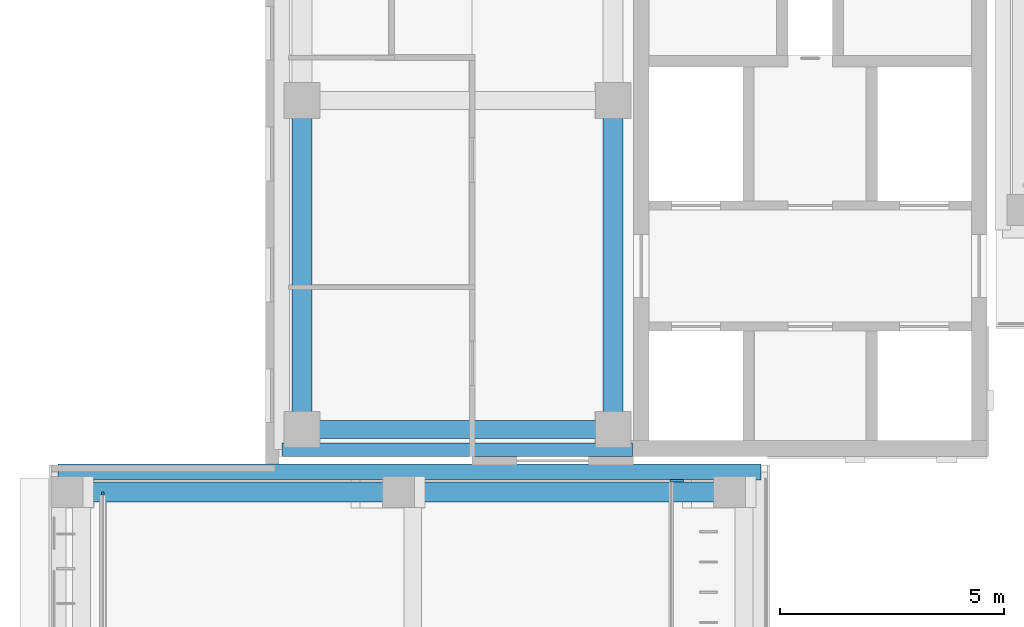
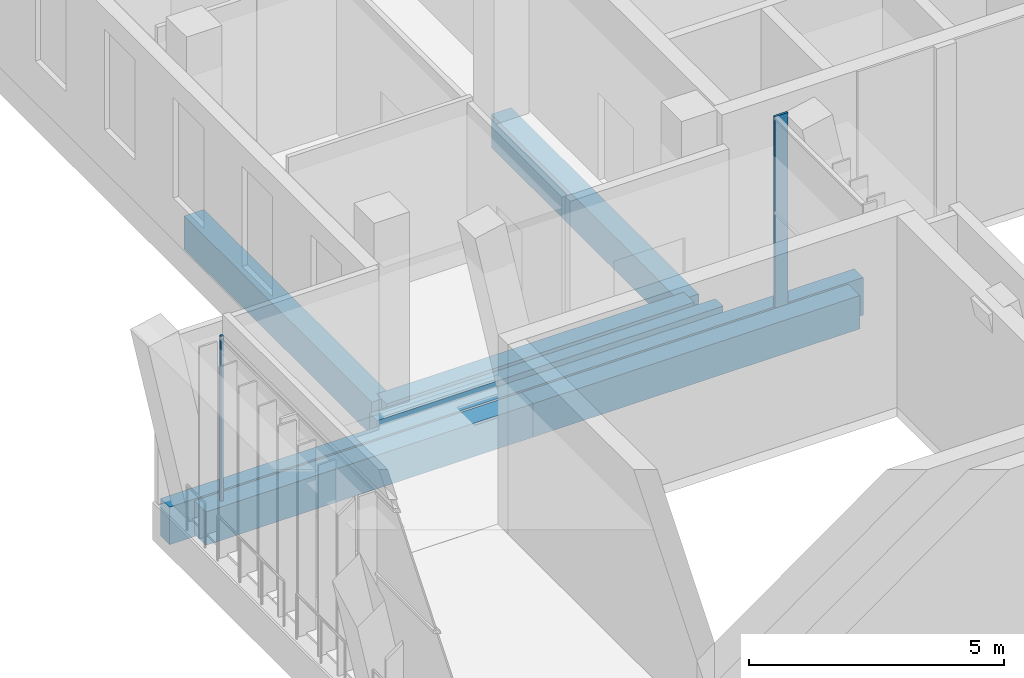
# One storey, part 17 of 73: 7 beams, 2 members, 2 elements without a shape of their own.
"""IFC4 building model written with IfcOpenShell, lengths in metres."""

from ifc_helpers import new_model, si_unit, direction, frame, origin, origin_2d, place, context, subcontext, project, spatial, rectangle, extrude, material, material_profile, profile_set, type_object, element, aggregate, save


model = new_model("IFC4")

# Units and contexts
model_context = context("Model", 3, precision=1e-05, world=origin(), true_north=direction((0.0, 1.0)))
body_context = subcontext(model_context, "Body", "Model", "MODEL_VIEW")
ifc_project = project(units=[si_unit("LENGTHUNIT", "METRE"), si_unit("AREAUNIT", "SQUARE_METRE"), si_unit("VOLUMEUNIT", "CUBIC_METRE"), si_unit("PLANEANGLEUNIT", "RADIAN"), si_unit("MASSUNIT", "GRAM", prefix="KILO")], contexts=[model_context])

# Site, building, storey
site_placement = place(None, origin())
site = spatial("IfcSite", under=ifc_project, at=site_placement, CompositionType="ELEMENT")
building_placement = place(site_placement, origin())
building = spatial("IfcBuilding", under=site, at=building_placement, Name="Lantern Court Media Centre", CompositionType="ELEMENT")
storey_placement = place(building_placement, frame((0.0, 0.0, 24.0)))
storey = spatial("IfcBuildingStorey", under=building, at=storey_placement, Name="L05", CompositionType="ELEMENT", Elevation=24.0)

# Curtain wall, member
ifc_material_1 = material(Name="Curtain wall bay 2400")
curtain_wall_type_1 = type_object("IfcCurtainWallType", Name="Curtain wall bay 2400", PredefinedType="NOTDEFINED", material=ifc_material_1)
curtain_wall_1_placement = place(storey_placement, origin())
curtain_wall_1 = element("IfcCurtainWall", 1, at=curtain_wall_1_placement, inside=storey, type_object=curtain_wall_type_1, Name="Curtain wall W inner L05", PredefinedType="NOTDEFINED")
ifc_material_2 = material(Name="Anodised aluminium", Category="aluminium")
ifc_material_profile_1 = material_profile(ifc_material_2, rectangle(XDim=0.300048828125, YDim=0.050048828125, at=origin_2d()), Name="AL 50x300")
ifc_profile_set_1 = profile_set([ifc_material_profile_1], Name="Anodised aluminium")
member_type_1 = type_object("IfcMemberType", Name="Curtain wall mullion 50x300", PredefinedType="MULLION", material=ifc_profile_set_1)
member_1_placement = place(storey_placement, frame((16.969970703125, 95.554931640625, 0.0), z_axis=(0.0, 0.0, 1.0), x_axis=(-1.0, 0.0, 0.0)))
member_1 = element("IfcMember", 2, at=member_1_placement, type_object=member_type_1, Name="CW2 mullion 2", PredefinedType="MULLION", context=body_context, shape_type="SweptSolid", body=[
    extrude(rectangle(XDim=0.300048828125, YDim=0.050048828125, at=origin_2d()), origin(), (0.0, 0.0, 1.0), 4.580078125),
])
aggregate(curtain_wall_1, [member_1])

ifc_material_3 = material(Name="Curtain wall bay 3000")
curtain_wall_type_2 = type_object("IfcCurtainWallType", Name="Curtain wall bay 3000", PredefinedType="NOTDEFINED", material=ifc_material_3)
curtain_wall_2_placement = place(storey_placement, origin())
curtain_wall_2 = element("IfcCurtainWall", 3, at=curtain_wall_2_placement, inside=storey, type_object=curtain_wall_type_2, Name="Curtain wall W outer L05", PredefinedType="NOTDEFINED")
ifc_material_profile_2 = material_profile(ifc_material_2, rectangle(XDim=0.06005859375, YDim=0.06005859375, at=origin_2d()), Name="AL 60x60")
ifc_profile_set_2 = profile_set([ifc_material_profile_2], Name="Anodised aluminium")
member_type_2 = type_object("IfcMemberType", Name="Curtain wall mullion 60x60", PredefinedType="MULLION", material=ifc_profile_set_2)
member_2_placement = place(storey_placement, frame((4.14990234375, 95.27001953125, 0.0), z_axis=(0.0, 0.0, 1.0), x_axis=(-1.0, 0.0, 0.0)))
member_2 = element("IfcMember", 4, at=member_2_placement, type_object=member_type_2, Name="CW1 mullion 11", PredefinedType="MULLION", context=body_context, shape_type="SweptSolid", body=[
    extrude(rectangle(XDim=0.06005859375, YDim=0.06005859375, at=origin_2d()), origin(), (0.0, 0.0, 1.0), 3.949951171875),
])
aggregate(curtain_wall_2, [member_2])

# Beams
ifc_material_4 = material(Name="Concrete C35", Category="concrete")
ifc_material_profile_3 = material_profile(ifc_material_4, rectangle(XDim=0.300048828125, YDim=0.89990234375, at=origin_2d()), Name="RC 300x900")
ifc_profile_set_3 = profile_set([ifc_material_profile_3], Name="Concrete C35")
beam_type_1 = type_object("IfcBeamType", Name="RC BEAM 300x900", PredefinedType="BEAM", material=ifc_profile_set_3)
beam_1_placement = place(storey_placement, frame((8.14990234375, 96.25, -0.449951171875), z_axis=(1.0, 0.0, 0.0), x_axis=(0.0, 1.0, 0.0)))
element("IfcBeam", 5, at=beam_1_placement, inside=storey, type_object=beam_type_1, Name="EB-NW-L05-S", PredefinedType="BEAM", context=body_context, shape_type="SweptSolid", body=[
    extrude(rectangle(XDim=0.300048828125, YDim=0.89990234375, at=origin_2d()), origin(), (0.0, 0.0, 1.0), 7.830078125),
])
ifc_material_profile_4 = material_profile(ifc_material_4, rectangle(XDim=0.35009765625, YDim=0.89990234375, at=origin_2d()), Name="RC 350x900")
ifc_profile_set_4 = profile_set([ifc_material_profile_4], Name="Concrete C35")
beam_type_2 = type_object("IfcBeamType", Name="RC BEAM 350x900", PredefinedType="BEAM", material=ifc_profile_set_4)
beam_2_placement = place(storey_placement, frame((3.14990234375, 95.75, -0.449951171875), z_axis=(1.0, 0.0, 0.0), x_axis=(0.0, 1.0, 0.0)))
element("IfcBeam", 6, at=beam_2_placement, inside=storey, type_object=beam_type_2, Name="EB-W-L05-D", PredefinedType="BEAM", context=body_context, shape_type="SweptSolid", body=[
    extrude(rectangle(XDim=0.35009765625, YDim=0.89990234375, at=origin_2d()), origin(), (0.0, 0.0, 1.0), 15.7001953125),
])
ifc_material_profile_5 = material_profile(ifc_material_4, rectangle(XDim=0.39990234375, YDim=0.800048828125, at=origin_2d()), Name="RC 400x800")
ifc_profile_set_5 = profile_set([ifc_material_profile_5], Name="Concrete C35")
beam_type_3 = type_object("IfcBeamType", Name="RC BEAM 400x800", PredefinedType="BEAM", material=ifc_profile_set_5)
beam_3_placement = place(storey_placement, frame((8.60009765625, 96.699951171875, -0.39990234375), z_axis=(1.0, 0.0, 0.0), x_axis=(0.0, 1.0, 0.0)))
element("IfcBeam", 7, at=beam_3_placement, inside=storey, type_object=beam_type_3, Name="BB-NW-L05-Y0-96", PredefinedType="BEAM", context=body_context, shape_type="SweptSolid", body=[
    extrude(rectangle(XDim=0.39990234375, YDim=0.800048828125, at=origin_2d()), origin(), (0.0, 0.0, 1.0), 6.949951171875),
])
ifc_material_profile_6 = material_profile(ifc_material_4, rectangle(XDim=0.449951171875, YDim=0.800048828125, at=origin_2d()), Name="RC 450x800")
ifc_profile_set_6 = profile_set([ifc_material_profile_6], Name="Concrete C35")
beam_type_4 = type_object("IfcBeamType", Name="RC BEAM 450x800", PredefinedType="BEAM", material=ifc_profile_set_6)
for number, where, z_axis, x_axis, name in (
    (8, (8.60009765625, 96.699951171875, -0.39990234375), (0.0, 1.0, 0.0), (-1.0, 0.0, 0.0), "BB-NW-L05-X0-8"),
    (9, (15.550048828125, 96.699951171875, -0.39990234375), (0.0, 1.0, 0.0), (-1.0, 0.0, 0.0), "BB-NW-L05-X0-15"),
):
    element("IfcBeam", number, at=place(storey_placement, frame(where, z_axis=z_axis, x_axis=x_axis)), inside=storey, type_object=beam_type_4, Name=name, PredefinedType="BEAM", context=body_context, shape_type="SweptSolid", body=[
        extrude(rectangle(XDim=0.449951171875, YDim=0.800048828125, at=origin_2d()), origin(), (0.0, 0.0, 1.0), 7.35009765625),
    ])
beam_4_placement = place(storey_placement, frame((3.683349609375, 95.300048828125, -0.39990234375), z_axis=(1.0, 0.0, 0.0), x_axis=(0.0, 1.0, 0.0)))
element("IfcBeam", 10, at=beam_4_placement, inside=storey, type_object=beam_type_4, Name="TB-W-L05-4-1", PredefinedType="BEAM", context=body_context, shape_type="SweptSolid", body=[
    extrude(rectangle(XDim=0.449951171875, YDim=0.800048828125, at=origin_2d()), origin(), (0.0, 0.0, 1.0), 7.39990234375),
])
beam_5_placement = place(storey_placement, frame((11.083251953125, 95.300048828125, -0.39990234375), z_axis=(1.0, 0.0, 0.0), x_axis=(0.0, 1.0, 0.0)))
element("IfcBeam", 11, at=beam_5_placement, inside=storey, type_object=beam_type_4, Name="TB-W-L05-4-2", PredefinedType="BEAM", context=body_context, shape_type="SweptSolid", body=[
    extrude(rectangle(XDim=0.449951171875, YDim=0.800048828125, at=origin_2d()), origin(), (0.0, 0.0, 1.0), 7.400146484375),
])

save(model, "model.ifc")
